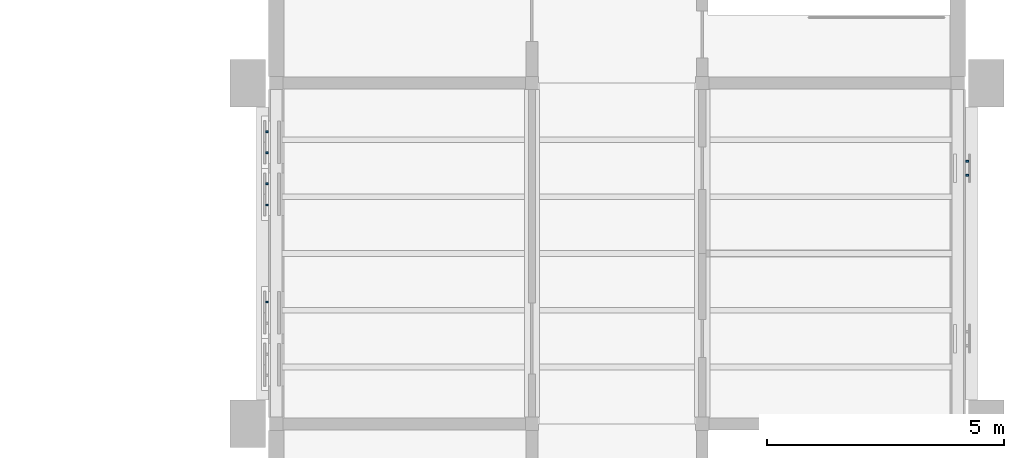
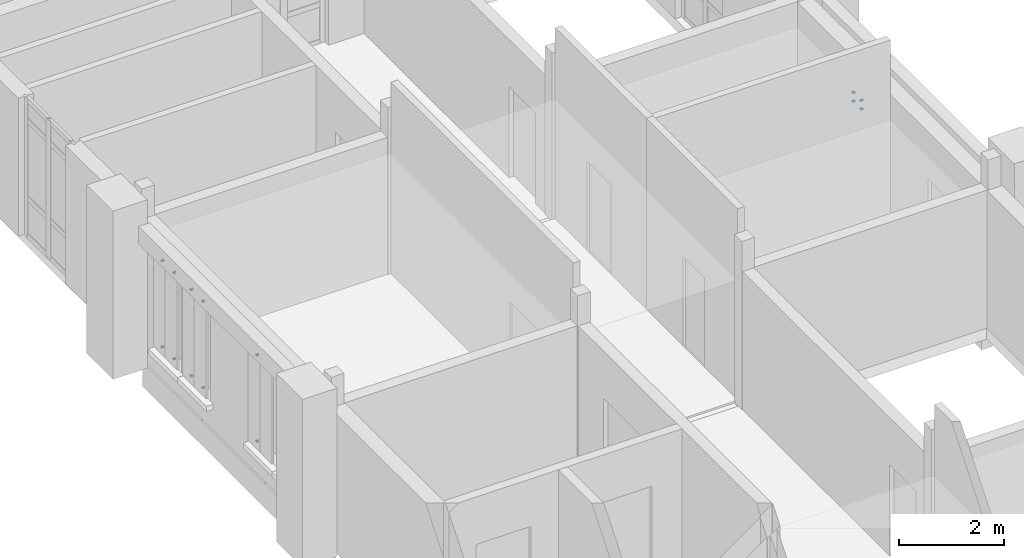
# One storey, part 58 of 71: 14 discrete accessories.
"""IFC4 building model written with IfcOpenShell, lengths in metres."""

from ifc_helpers import new_model, si_unit, direction, frame, origin, origin_2d, place, context, subcontext, project, spatial, rectangle, extrude, material, type_object, element, save


model = new_model("IFC4")

# Units and contexts
model_context = context("Model", 3, precision=1e-05, world=origin(), true_north=direction((0.0, 1.0)))
body_context = subcontext(model_context, "Body", "Model", "MODEL_VIEW")
ifc_project = project(units=[si_unit("LENGTHUNIT", "METRE"), si_unit("AREAUNIT", "SQUARE_METRE"), si_unit("VOLUMEUNIT", "CUBIC_METRE"), si_unit("PLANEANGLEUNIT", "RADIAN"), si_unit("MASSUNIT", "GRAM", prefix="KILO")], contexts=[model_context])

# Site, building, storey
site_placement = place(None, origin())
site = spatial("IfcSite", under=ifc_project, at=site_placement, CompositionType="ELEMENT")
building_placement = place(site_placement, origin())
building = spatial("IfcBuilding", under=site, at=building_placement, Name="Mazhai Court Health Centre", CompositionType="ELEMENT")
storey_placement = place(building_placement, frame((0.0, 0.0, 10.199951171875)))
storey = spatial("IfcBuildingStorey", under=building, at=storey_placement, Name="L02", CompositionType="ELEMENT", Elevation=10.199951171875)

# Discrete accessories
ifc_material = material(Name="Steel IS 2062 E250", Category="steel")
discrete_accessory_type = type_object("IfcDiscreteAccessoryType", Name="BRACKET 40", PredefinedType="BRACKET", material=ifc_material)
for number, where, z_axis, x_axis, name in (
    (1, (135.60498046875, 37.574951171875, 0.780029296875), (0.0, 0.0, 1.0), (0.0, 1.0, 0.0), "BR-V6-L02-A40bb0"),
    (2, (135.60498046875, 37.574951171875, 2.780029296875), (0.0, 0.0, 1.0), (0.0, 1.0, 0.0), "BR-V6-L02-A40bb1"),
    (3, (135.60498046875, 39.625, 0.780029296875), (0.0, 0.0, 1.0), (0.0, 1.0, 0.0), "BR-V6-L02-A41aa0"),
    (4, (135.60498046875, 39.625, 2.780029296875), (0.0, 0.0, 1.0), (0.0, 1.0, 0.0), "BR-V6-L02-A41aa1"),
    (5, (135.60498046875, 40.074951171875, 0.780029296875), (0.0, 0.0, 1.0), (0.0, 1.0, 0.0), "BR-V6-L02-A41ab0"),
    (6, (135.60498046875, 40.074951171875, 2.780029296875), (0.0, 0.0, 1.0), (0.0, 1.0, 0.0), "BR-V6-L02-A41ab1"),
    (7, (135.60498046875, 40.72509765625, 0.780029296875), (0.0, 0.0, 1.0), (0.0, 1.0, 0.0), "BR-V6-L02-A41ba0"),
    (8, (135.60498046875, 40.72509765625, 2.780029296875), (0.0, 0.0, 1.0), (0.0, 1.0, 0.0), "BR-V6-L02-A41ba1"),
    (9, (135.60498046875, 41.175048828125, 0.780029296875), (0.0, 0.0, 1.0), (0.0, 1.0, 0.0), "BR-V6-L02-A41bb0"),
    (10, (135.60498046875, 41.175048828125, 2.780029296875), (0.0, 0.0, 1.0), (0.0, 1.0, 0.0), "BR-V6-L02-A41bb1"),
    (11, (150.39501953125, 40.25, 1.679931640625), (0.0, 0.0, 1.0), (0.0, 1.0, 0.0), "BR-V6-L02-B41a0"),
    (12, (150.39501953125, 40.25, 1.880126953125), (0.0, 0.0, 1.0), (0.0, 1.0, 0.0), "BR-V6-L02-B41a1"),
    (13, (150.39501953125, 40.550048828125, 1.679931640625), (0.0, 0.0, 1.0), (0.0, 1.0, 0.0), "BR-V6-L02-B41b0"),
    (14, (150.39501953125, 40.550048828125, 1.880126953125), (0.0, 0.0, 1.0), (0.0, 1.0, 0.0), "BR-V6-L02-B41b1"),
):
    element("IfcDiscreteAccessory", number, at=place(storey_placement, frame(where, z_axis=z_axis, x_axis=x_axis)), inside=storey, type_object=discrete_accessory_type, Name=name, PredefinedType="BRACKET", context=body_context, shape_type="SweptSolid", body=[
        extrude(rectangle(XDim=0.0400390625, YDim=0.06005859375, at=origin_2d()), origin(), (0.0, 0.0, 1.0), 0.0400390625),
    ])

save(model, "model.ifc")
